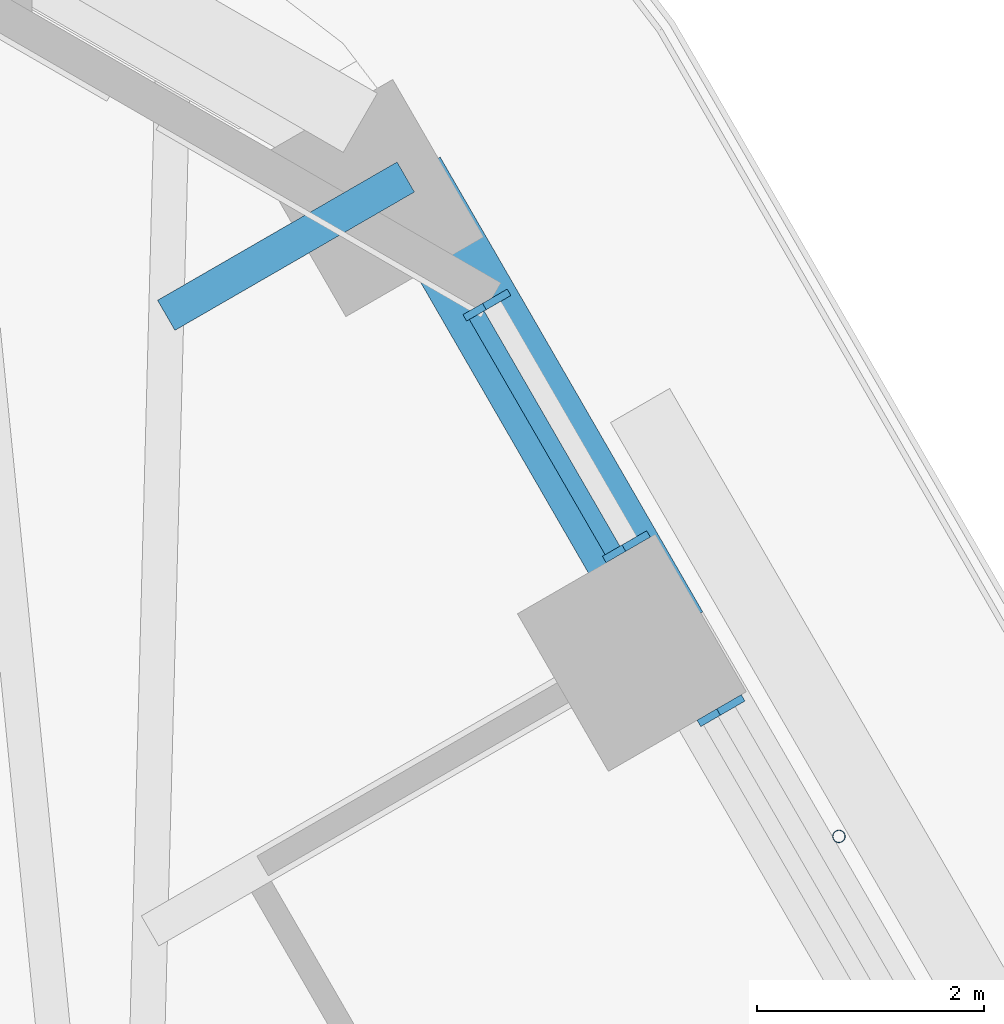
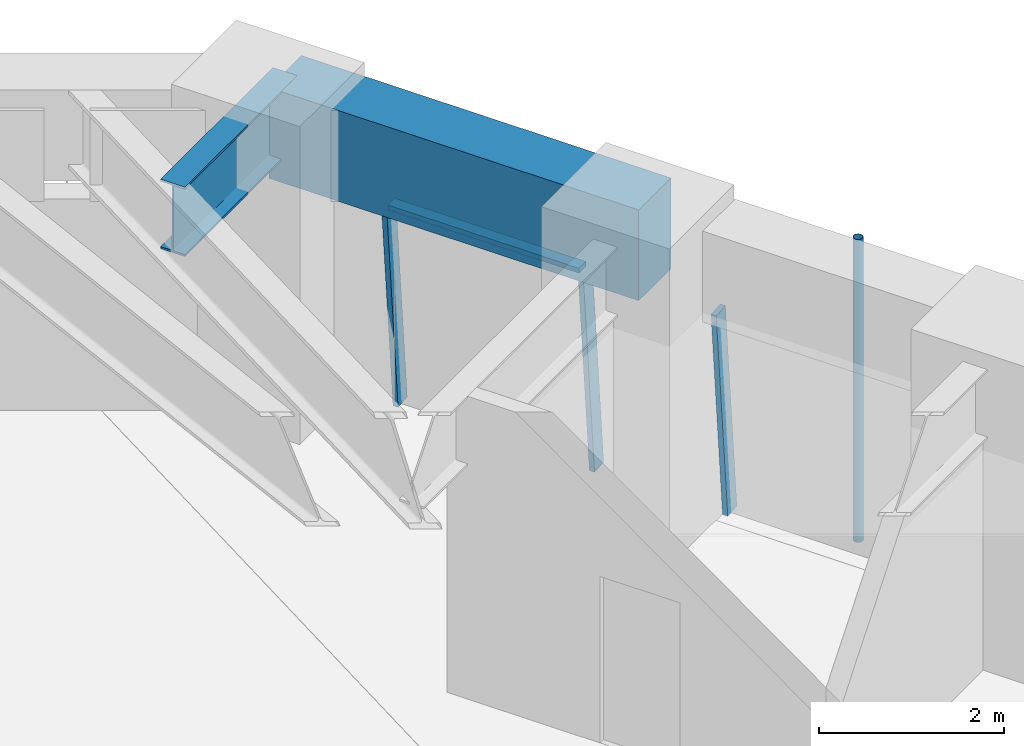
# One storey, part 12 of 20: 5 members, 2 beams, 2 elements without a shape of their own.
"""IFC4 building model written with IfcOpenShell, lengths in metres."""

from ifc_helpers import new_model, si_unit, direction, frame, origin, origin_2d, place, context, subcontext, project, spatial, rectangle, hollow_circle, i_section, extrude, material, material_profile, profile_set, type_object, element, aggregate, save


model = new_model("IFC4")

# Units and contexts
model_context = context("Model", 3, precision=1e-05, world=origin(), true_north=direction((0.0, 1.0)))
body_context = subcontext(model_context, "Body", "Model", "MODEL_VIEW")
ifc_project = project(units=[si_unit("LENGTHUNIT", "METRE"), si_unit("AREAUNIT", "SQUARE_METRE"), si_unit("VOLUMEUNIT", "CUBIC_METRE"), si_unit("PLANEANGLEUNIT", "RADIAN"), si_unit("MASSUNIT", "GRAM", prefix="KILO")], contexts=[model_context])

# Site, building, storey
site_placement = place(None, origin())
site = spatial("IfcSite", under=ifc_project, at=site_placement, CompositionType="ELEMENT")
building_placement = place(site_placement, origin())
building = spatial("IfcBuilding", under=site, at=building_placement, Name="Tarfa Lantern Tower", CompositionType="ELEMENT")
storey_placement = place(building_placement, frame((0.0, 0.0, 232.300048828125)))
storey = spatial("IfcBuildingStorey", under=building, at=storey_placement, Name="L52", CompositionType="ELEMENT", Elevation=232.300048828125)

# Curtain wall, member
ifc_material_1 = material(Name="Aluminium framed curtain wall", Category="aluminium")
curtain_wall_type = type_object("IfcCurtainWallType", Name="CW3 CANTED GLAZING HIGH ZONE 2800", PredefinedType="USERDEFINED", material=ifc_material_1)
curtain_wall_1_placement = place(storey_placement, origin())
curtain_wall_1 = element("IfcCurtainWall", 1, at=curtain_wall_1_placement, inside=storey, type_object=curtain_wall_type, Name="CW3 NE L52", ObjectType="CURTAIN WALL", PredefinedType="USERDEFINED")
ifc_material_2 = material(Name="Aluminium mullion", Category="aluminium")
ifc_material_profile_1 = material_profile(ifc_material_2, rectangle(XDim=0.06494140625, YDim=0.199951171875, at=origin_2d()), Name="AL MULLION 65x200")
ifc_profile_set_1 = profile_set([ifc_material_profile_1], Name="Aluminium mullion")
member_type_1 = type_object("IfcMemberType", Name="CWM1 MULLION 65x200", PredefinedType="MULLION", material=ifc_profile_set_1)
member_1_placement = place(storey_placement, frame((20.82568359375, 21.72900390625, 0.0), z_axis=(-0.077032386753, -0.044465143199, 0.996036576854), x_axis=(0.499919672301, -0.866071776036, 0.0)))
member_1 = element("IfcMember", 2, at=member_1_placement, type_object=member_type_1, Name="CW3 mullion 2", PredefinedType="MULLION", context=body_context, shape_type="SweptSolid", body=[
    extrude(rectangle(XDim=0.06494140625, YDim=0.199951171875, at=origin_2d()), origin(), (0.0, 0.0, 1.0), 2.811279296875),
])
aggregate(curtain_wall_1, [member_1])

# Curtain wall, members
curtain_wall_2_placement = place(storey_placement, origin())
curtain_wall_2 = element("IfcCurtainWall", 3, at=curtain_wall_2_placement, inside=storey, type_object=curtain_wall_type, Name="CW3 NE L52", ObjectType="CURTAIN WALL", PredefinedType="USERDEFINED")
member_2_placement = place(storey_placement, frame((19.9931640625, 23.1708984375, 0.0), z_axis=(-0.077032386753, -0.044465143199, 0.996036576854), x_axis=(0.499919672301, -0.866071776036, 0.0)))
member_2 = element("IfcMember", 4, at=member_2_placement, type_object=member_type_1, Name="CW3 mullion 1", PredefinedType="MULLION", context=body_context, shape_type="SweptSolid", body=[
    extrude(rectangle(XDim=0.06494140625, YDim=0.199951171875, at=origin_2d()), origin(), (0.0, 0.0, 1.0), 2.811279296875),
])
member_3_placement = place(storey_placement, frame((18.76611328125, 25.296142578125, 0.0), z_axis=(-0.077032386753, -0.044465143199, 0.996036576854), x_axis=(0.499919672301, -0.866071776036, 0.0)))
member_3 = element("IfcMember", 5, at=member_3_placement, type_object=member_type_1, Name="CW3 mullion 2", PredefinedType="MULLION", context=body_context, shape_type="SweptSolid", body=[
    extrude(rectangle(XDim=0.06494140625, YDim=0.199951171875, at=origin_2d()), origin(), (0.0, 0.0, 1.0), 2.811279296875),
])
ifc_material_3 = material(Name="Aluminium transom", Category="aluminium")
ifc_material_profile_2 = material_profile(ifc_material_3, rectangle(XDim=0.14990234375, YDim=0.06494140625, at=origin_2d()), Name="AL TRANSOM 150x65")
ifc_profile_set_2 = profile_set([ifc_material_profile_2], Name="Aluminium transom")
member_type_2 = type_object("IfcMemberType", Name="CWT1 TRANSOM 150x65", PredefinedType="USERDEFINED", material=ifc_profile_set_2)
member_4_placement = place(storey_placement, frame((19.762939453125, 23.07568359375, 2.767333984375), z_axis=(-0.500085172201, 0.865976224006, 0.0), x_axis=(-0.865976224006, -0.500085172201, 0.0)))
member_4 = element("IfcMember", 6, at=member_4_placement, type_object=member_type_2, Name="CW3 transom 1.2", ObjectType="TRANSOM", PredefinedType="USERDEFINED", context=body_context, shape_type="SweptSolid", body=[
    extrude(rectangle(XDim=0.14990234375, YDim=0.06494140625, at=origin_2d()), origin(), (0.0, 0.0, 1.0), 2.388671875),
])
aggregate(curtain_wall_2, [member_2, member_3, member_4])

# Beam
ifc_material_4 = material(Name="Concrete C80/95", Category="concrete")
ifc_material_profile_3 = material_profile(ifc_material_4, rectangle(XDim=0.699951171875, YDim=1.199951171875, at=origin_2d()), Name="RC 700x1200")
ifc_profile_set_3 = profile_set([ifc_material_profile_3], Name="Concrete C80/95")
beam_type_1 = type_object("IfcBeamType", Name="EB3 RC 700x1200", PredefinedType="SPANDREL", material=ifc_profile_set_3)
beam_1_placement = place(storey_placement, frame((20.25341796875, 22.360107421875, 3.39990234375), z_axis=(-0.499987836815, 0.866032426089, 0.0), x_axis=(-0.866032426089, -0.499987836815, 0.0)))
element("IfcBeam", 7, at=beam_1_placement, inside=storey, type_object=beam_type_1, Name="Edge beam NE5", PredefinedType="SPANDREL", context=body_context, shape_type="SweptSolid", body=[
    extrude(rectangle(XDim=0.699951171875, YDim=1.199951171875, at=origin_2d()), origin(), (0.0, 0.0, 1.0), 4.61865234375),
])

# Member
ifc_material_5 = material(Name="Steel S355", Category="steel")
ifc_material_profile_4 = material_profile(ifc_material_5, hollow_circle(Radius=0.05712890625, WallThickness=0.00634765625, at=origin_2d()), Name="CHS114.3x6.3")
ifc_profile_set_4 = profile_set([ifc_material_profile_4], Name="Steel S355")
member_type_3 = type_object("IfcMemberType", Name="TR1 GREEN WALL TRELLIS CHS114.3x6.3", PredefinedType="USERDEFINED", material=ifc_profile_set_4)
member_5_placement = place(storey_placement, frame((21.754638671875, 20.56005859375, 0.0), z_axis=(0.0, 0.0, 1.0), x_axis=(1.0, 0.0, 0.0)))
element("IfcMember", 8, at=member_5_placement, inside=storey, type_object=member_type_3, Name="Trellis post NE 2", ObjectType="TRELLIS", PredefinedType="USERDEFINED", context=body_context, shape_type="SweptSolid", body=[
    extrude(hollow_circle(Radius=0.05712890625, WallThickness=0.00634765625, at=origin_2d()), origin(), (0.0, 0.0, 1.0), 4.0),
])

# Beam
ifc_material_6 = material(Name="Steel S460M", Category="steel")
ifc_material_profile_5 = material_profile(ifc_material_6, i_section(OverallWidth=0.305419921875, OverallDepth=0.91845703125, WebThickness=0.017333984375, FlangeThickness=0.02783203125, FilletRadius=0.01904296875, at=origin_2d()), Name="UB914x305x253")
ifc_profile_set_5 = profile_set([ifc_material_profile_5], Name="Steel S460M")
beam_type_2 = type_object("IfcBeamType", Name="UB914x305x253", PredefinedType="BEAM", material=ifc_profile_set_5)
beam_2_placement = place(storey_placement, frame((17.944091796875, 26.360107421875, 3.540771484375), z_axis=(-0.865980009423, -0.5000786171, 0.0), x_axis=(0.5000786171, -0.865980009423, 0.0)))
element("IfcBeam", 9, at=beam_2_placement, inside=storey, type_object=beam_type_2, Name="Floor beam NE6", PredefinedType="BEAM", context=body_context, shape_type="SweptSolid", body=[
    extrude(i_section(OverallWidth=0.305419921875, OverallDepth=0.91845703125, WebThickness=0.017333984375, FlangeThickness=0.02783203125, FilletRadius=0.01904296875, at=origin_2d()), origin(), (0.0, 0.0, 1.0), 2.4326171875),
])

save(model, "model.ifc")
